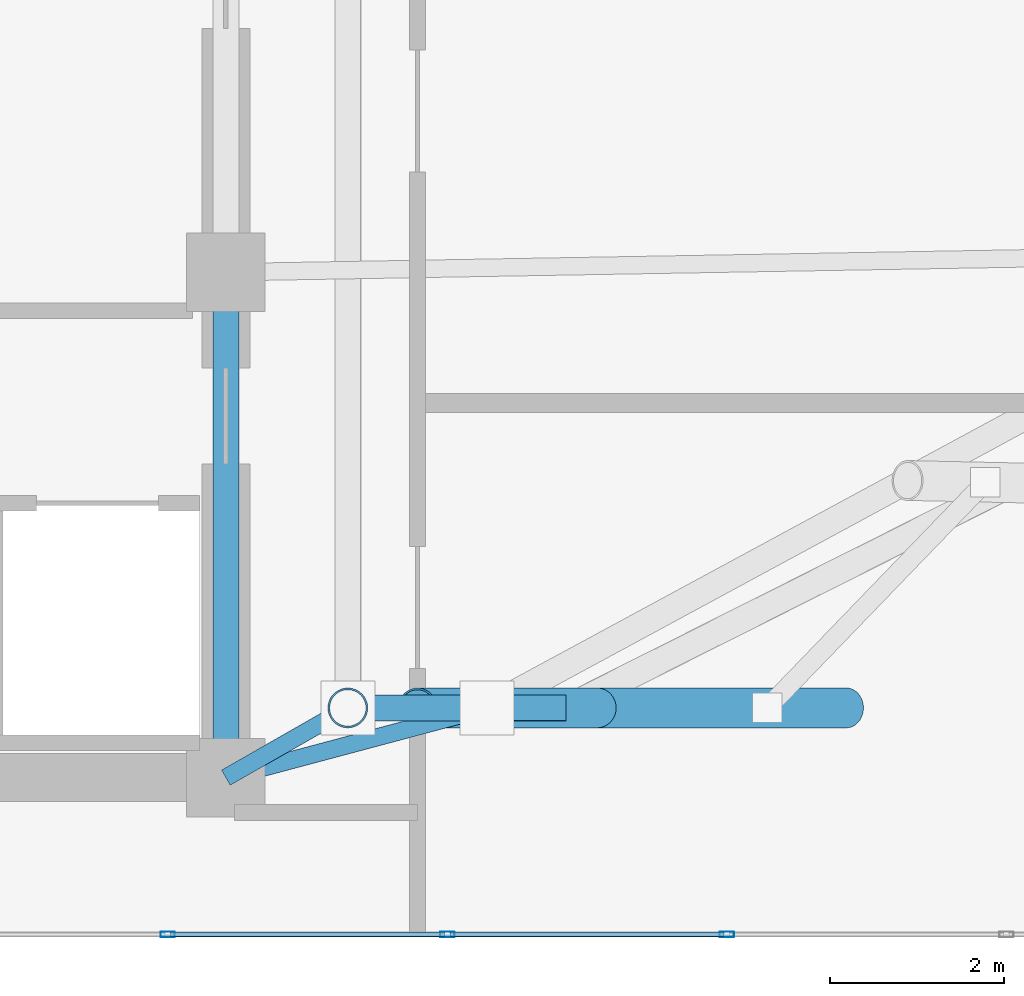
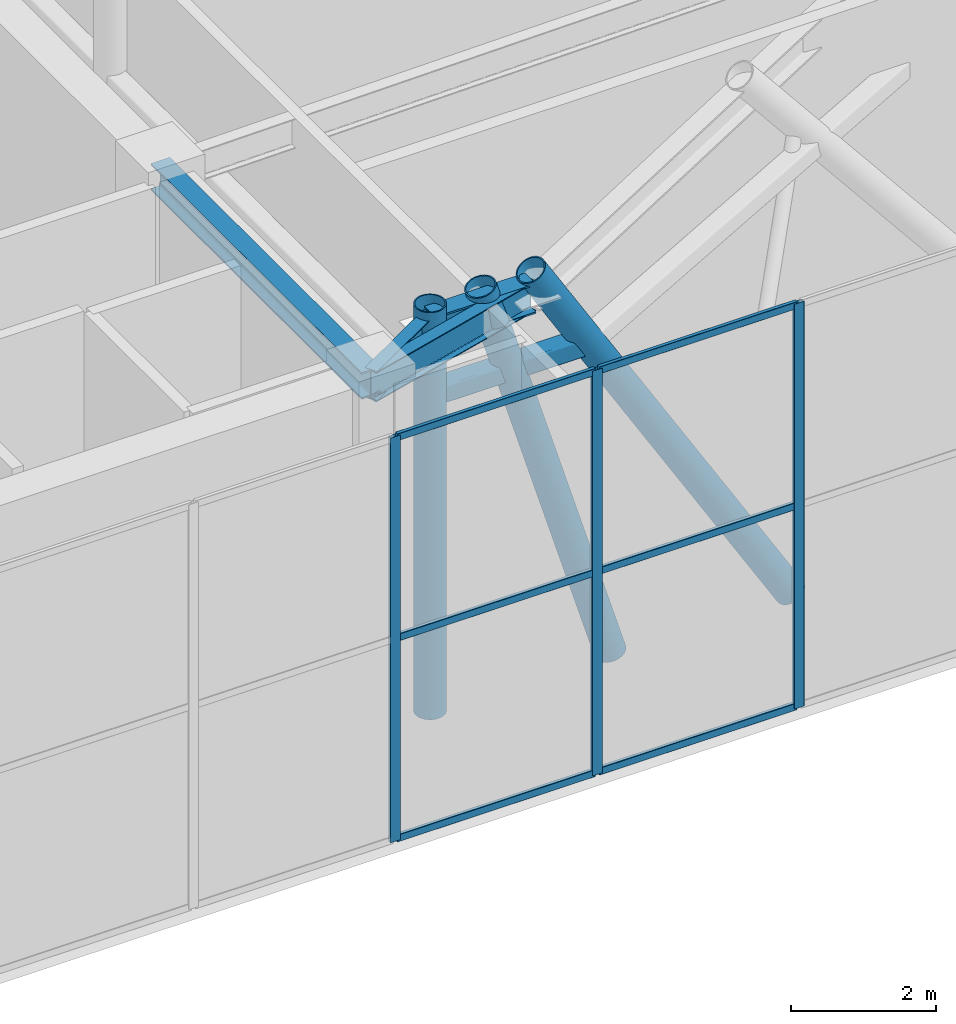
# One storey, part 8 of 23: 13 members, 4 beams, 1 element without a shape of its own.
"""IFC4 building model written with IfcOpenShell, lengths in metres."""

from ifc_helpers import new_model, si_unit, direction, frame, origin, origin_2d, place, context, subcontext, project, spatial, hollow_rectangle, hollow_circle, i_section, extrude, material, layer, layer_set, material_profile, profile_set, type_object, element, aggregate, save


model = new_model("IFC4")

# Units and contexts
model_context = context("Model", 3, precision=1e-05, world=origin(), true_north=direction((0.0, 1.0)))
body_context = subcontext(model_context, "Body", "Model", "MODEL_VIEW")
ifc_project = project(units=[si_unit("LENGTHUNIT", "METRE"), si_unit("AREAUNIT", "SQUARE_METRE"), si_unit("VOLUMEUNIT", "CUBIC_METRE"), si_unit("PLANEANGLEUNIT", "RADIAN"), si_unit("MASSUNIT", "GRAM", prefix="KILO")], contexts=[model_context])

# Site, building, storey
site_placement = place(None, origin())
site = spatial("IfcSite", under=ifc_project, at=site_placement, CompositionType="ELEMENT")
building_placement = place(site_placement, origin())
building = spatial("IfcBuilding", under=site, at=building_placement, Name="An Khanh Terracotta Commons", CompositionType="ELEMENT")
storey_placement = place(building_placement, frame((0.0, 0.0, 322.0)))
storey = spatial("IfcBuildingStorey", under=building, at=storey_placement, Name="L81 Crown Heat-Recovery Plant", CompositionType="ELEMENT", Elevation=322.0)

# Beams
ifc_material_1 = material(Name="Steel S355J2", Category="steel")
ifc_material_profile_1 = material_profile(ifc_material_1, i_section(OverallWidth=0.300048828125, OverallDepth=0.449951171875, WebThickness=0.013916015625, FlangeThickness=0.02587890625, FilletRadius=0.027099609375, at=origin_2d()), Name="HEB450")
ifc_profile_set_1 = profile_set([ifc_material_profile_1], Name="Steel S355J2")
beam_type_1 = type_object("IfcBeamType", Name="BM-HEB450", PredefinedType="BEAM", material=ifc_profile_set_1)
beam_1_placement = place(storey_placement, frame((37.199951171875, 14.39990234375, 6.35498046875), z_axis=(0.0, 1.0, 0.0), x_axis=(-1.0, 0.0, 0.0)))
element("IfcBeam", 1, at=beam_1_placement, inside=storey, type_object=beam_type_1, Name="L81 Crown Heat-Recovery Plant Core East Coupling Girder 1", PredefinedType="BEAM", context=body_context, shape_type="SweptSolid", body=[
    extrude(i_section(OverallWidth=0.300048828125, OverallDepth=0.449951171875, WebThickness=0.013916015625, FlangeThickness=0.02587890625, FilletRadius=0.027099609375, at=origin_2d()), origin(), (0.0, 0.0, 1.0), 5.800048828125),
])
ifc_material_profile_2 = material_profile(ifc_material_1, i_section(OverallWidth=0.300048828125, OverallDepth=0.5, WebThickness=0.014404296875, FlangeThickness=0.028076171875, FilletRadius=0.027099609375, at=origin_2d()), Name="HEB500")
ifc_profile_set_2 = profile_set([ifc_material_profile_2], Name="Steel S355J2")
beam_type_2 = type_object("IfcBeamType", Name="BM-HEB500", PredefinedType="BEAM", material=ifc_profile_set_2)
beam_2_placement = place(storey_placement, frame((38.60009765625, 15.199951171875, 6.330078125), z_axis=(1.0, 0.0, 0.0), x_axis=(0.0, 1.0, 0.0)))
element("IfcBeam", 2, at=beam_2_placement, inside=storey, type_object=beam_type_2, Name="L81 Crown Heat-Recovery Plant CROWN FRAME Ring Beam 1", PredefinedType="BEAM", context=body_context, shape_type="SweptSolid", body=[
    extrude(i_section(OverallWidth=0.300048828125, OverallDepth=0.5, WebThickness=0.014404296875, FlangeThickness=0.028076171875, FilletRadius=0.027099609375, at=origin_2d()), origin(), (0.0, 0.0, 1.0), 1.599853515625),
])
ifc_material_profile_3 = material_profile(ifc_material_1, i_section(OverallWidth=0.199951171875, OverallDepth=0.5, WebThickness=0.01025390625, FlangeThickness=0.01611328125, FilletRadius=0.02099609375, at=origin_2d()), Name="IPE500")
ifc_profile_set_3 = profile_set([ifc_material_profile_3], Name="Steel S355J2")
beam_type_3 = type_object("IfcBeamType", Name="BM-IPE500", PredefinedType="BEAM", material=ifc_profile_set_3)
beam_3_placement = place(storey_placement, frame((37.199951171875, 14.39990234375, 6.330078125), z_axis=(0.86825245861, 0.496122634152, 0.0), x_axis=(-0.496122634152, 0.86825245861, 0.0)))
element("IfcBeam", 3, at=beam_3_placement, inside=storey, type_object=beam_type_3, Name="L81 Crown Heat-Recovery Plant Crown Radial Tie Beam 1", PredefinedType="BEAM", context=body_context, shape_type="SweptSolid", body=[
    extrude(i_section(OverallWidth=0.199951171875, OverallDepth=0.5, WebThickness=0.01025390625, FlangeThickness=0.01611328125, FilletRadius=0.02099609375, at=origin_2d()), origin(), (0.0, 0.0, 1.0), 1.612548828125),
])
beam_4_placement = place(storey_placement, frame((37.199951171875, 14.39990234375, 6.330078125), z_axis=(0.966231024199, 0.25767733287, 0.0), x_axis=(-0.25767733287, 0.966231024199, 0.0)))
element("IfcBeam", 4, at=beam_4_placement, inside=storey, type_object=beam_type_3, Name="L81 Crown Heat-Recovery Plant Crown Radial Tie Beam 2", PredefinedType="BEAM", context=body_context, shape_type="SweptSolid", body=[
    extrude(i_section(OverallWidth=0.199951171875, OverallDepth=0.5, WebThickness=0.01025390625, FlangeThickness=0.01611328125, FilletRadius=0.02099609375, at=origin_2d()), origin(), (0.0, 0.0, 1.0), 3.104736328125),
])

# Members
ifc_material_2 = material(Name="Steel S460ML", Category="steel")
ifc_material_profile_4 = material_profile(ifc_material_2, hollow_circle(Radius=0.228515625, WallThickness=0.02001953125, at=origin_2d()), Name="CHS457x20")
ifc_profile_set_4 = profile_set([ifc_material_profile_4], Name="Steel S460ML")
member_type_1 = type_object("IfcMemberType", Name="CROWN FRAME RIB CHS457", PredefinedType="STRUT", material=ifc_profile_set_4)
member_1_placement = place(storey_placement, frame((38.60009765625, 15.199951171875, -0.1201171875), z_axis=(0.0, 0.0, 1.0), x_axis=(1.0, 0.0, 0.0)))
element("IfcMember", 5, at=member_1_placement, inside=storey, type_object=member_type_1, Name="L81 Crown Heat-Recovery Plant CROWN FRAME Corner Raking Rib 1", PredefinedType="STRUT", context=body_context, shape_type="SweptSolid", body=[
    extrude(hollow_circle(Radius=0.228515625, WallThickness=0.02001953125, at=origin_2d()), origin(), (0.0, 0.0, 1.0), 6.840087890625),
])
member_2_placement = place(storey_placement, frame((41.4609375, 15.199951171875, -0.1201171875), z_axis=(-0.288504606457, 0.0, 0.957478507358), x_axis=(0.0, -1.0, 0.0)))
element("IfcMember", 6, at=member_2_placement, inside=storey, type_object=member_type_1, Name="L81 Crown Heat-Recovery Plant CROWN FRAME Facet Strut 1", PredefinedType="STRUT", context=body_context, shape_type="SweptSolid", body=[
    extrude(hollow_circle(Radius=0.228515625, WallThickness=0.02001953125, at=origin_2d()), origin(), (0.0, 0.0, 1.0), 7.143798828125),
])
member_3_placement = place(storey_placement, frame((44.322021484375, 15.199951171875, -0.1201171875), z_axis=(-0.516153696241, 0.0, 0.856495978891), x_axis=(0.0, -1.0, 0.0)))
element("IfcMember", 7, at=member_3_placement, inside=storey, type_object=member_type_1, Name="L81 Crown Heat-Recovery Plant CROWN FRAME Corner Raking Rib 2", PredefinedType="STRUT", context=body_context, shape_type="SweptSolid", body=[
    extrude(hollow_circle(Radius=0.228515625, WallThickness=0.02001953125, at=origin_2d()), origin(), (0.0, 0.0, 1.0), 7.986083984375),
])
ifc_material_profile_5 = material_profile(ifc_material_2, hollow_rectangle(XDim=0.300048828125, YDim=0.300048828125, WallThickness=0.01611328125, InnerFilletRadius=0.01611328125, OuterFilletRadius=0.031982421875, at=origin_2d()), Name="SHS300x300x16")
ifc_profile_set_5 = profile_set([ifc_material_profile_5], Name="Steel S460ML")
member_type_2 = type_object("IfcMemberType", Name="CROWN FRAME RING SHS300", PredefinedType="CHORD", material=ifc_profile_set_5)
member_4_placement = place(storey_placement, frame((38.60009765625, 15.199951171875, 5.215087890625), z_axis=(1.0, 0.0, 0.0), x_axis=(0.0, 1.0, 0.0)))
element("IfcMember", 8, at=member_4_placement, inside=storey, type_object=member_type_2, Name="L81 Crown Heat-Recovery Plant CROWN FRAME Sill Ring Chord 1", PredefinedType="CHORD", context=body_context, shape_type="SweptSolid", body=[
    extrude(hollow_rectangle(XDim=0.300048828125, YDim=0.300048828125, WallThickness=0.01611328125, InnerFilletRadius=0.01611328125, OuterFilletRadius=0.031982421875, at=origin_2d()), origin(), (0.0, 0.0, 1.0), 2.5068359375),
])

# Curtain wall, members
ifc_material_3 = material(Name="Anodised Aluminium 6063-T6", Category="aluminium")
ifc_layer = layer(ifc_material_3, 0.18994140625, Name="Anodised Aluminium 6063-T6")
ifc_layer_set = layer_set([ifc_layer], Name="Anodised Aluminium 6063-T6")
curtain_wall_type = type_object("IfcCurtainWallType", Name="CW-SYS-06", PredefinedType="USERDEFINED", material=ifc_layer_set)
curtain_wall_placement = place(storey_placement, origin())
curtain_wall = element("IfcCurtainWall", 9, at=curtain_wall_placement, inside=storey, type_object=curtain_wall_type, Name="L81 Crown Heat-Recovery Plant CW-06 Unitised Curtain Wall CW-L81-04", ObjectType="UNITISED CURTAIN WALL", PredefinedType="USERDEFINED")
ifc_material_profile_6 = material_profile(ifc_material_3, hollow_rectangle(XDim=0.06494140625, YDim=0.1650390625, WallThickness=0.00390625, InnerFilletRadius=0.00390625, OuterFilletRadius=0.008056640625, at=origin_2d()), Name="RHS165x65x4")
ifc_profile_set_6 = profile_set([ifc_material_profile_6], Name="Anodised Aluminium 6063-T6")
member_type_3 = type_object("IfcMemberType", Name="CWM-RHS165x65x4", PredefinedType="MULLION", material=ifc_profile_set_6)
member_5_placement = place(storey_placement, frame((36.533447265625, 12.60009765625, 0.0), z_axis=(0.0, 0.0, 1.0), x_axis=(0.0, 1.0, 0.0)))
member_5 = element("IfcMember", 10, at=member_5_placement, type_object=member_type_3, Name="CW-06 mullion 5", PredefinedType="MULLION", context=body_context, shape_type="SweptSolid", body=[
    extrude(hollow_rectangle(XDim=0.06494140625, YDim=0.1650390625, WallThickness=0.00390625, InnerFilletRadius=0.00390625, OuterFilletRadius=0.008056640625, at=origin_2d()), origin(), (0.0, 0.0, 1.0), 6.800048828125),
])
member_6_placement = place(storey_placement, frame((39.741943359375, 12.60009765625, 0.0), z_axis=(0.0, 0.0, 1.0), x_axis=(0.0, 1.0, 0.0)))
member_6 = element("IfcMember", 11, at=member_6_placement, type_object=member_type_3, Name="CW-06 mullion 6", PredefinedType="MULLION", context=body_context, shape_type="SweptSolid", body=[
    extrude(hollow_rectangle(XDim=0.06494140625, YDim=0.1650390625, WallThickness=0.00390625, InnerFilletRadius=0.00390625, OuterFilletRadius=0.008056640625, at=origin_2d()), origin(), (0.0, 0.0, 1.0), 6.800048828125),
])
member_7_placement = place(storey_placement, frame((42.9501953125, 12.60009765625, 0.0), z_axis=(0.0, 0.0, 1.0), x_axis=(0.0, 1.0, 0.0)))
member_7 = element("IfcMember", 12, at=member_7_placement, type_object=member_type_3, Name="CW-06 mullion 7", PredefinedType="MULLION", context=body_context, shape_type="SweptSolid", body=[
    extrude(hollow_rectangle(XDim=0.06494140625, YDim=0.1650390625, WallThickness=0.00390625, InnerFilletRadius=0.00390625, OuterFilletRadius=0.008056640625, at=origin_2d()), origin(), (0.0, 0.0, 1.0), 6.800048828125),
])
ifc_material_profile_7 = material_profile(ifc_material_3, hollow_rectangle(XDim=0.06005859375, YDim=0.1201171875, WallThickness=0.003662109375, InnerFilletRadius=0.003662109375, OuterFilletRadius=0.007080078125, at=origin_2d()), Name="RHS120x60x3.6")
ifc_profile_set_7 = profile_set([ifc_material_profile_7], Name="Anodised Aluminium 6063-T6")
member_type_4 = type_object("IfcMemberType", Name="CWT-RHS120x60x3.6", PredefinedType="USERDEFINED", material=ifc_profile_set_7)
member_8_placement = place(storey_placement, frame((36.56591796875, 12.60009765625, 0.030029296875), z_axis=(1.0, 0.0, 0.0), x_axis=(0.0, 1.0, 0.0)))
member_8 = element("IfcMember", 13, at=member_8_placement, type_object=member_type_4, Name="CW-06 transom 5.1", ObjectType="TRANSOM", PredefinedType="USERDEFINED", context=body_context, shape_type="SweptSolid", body=[
    extrude(hollow_rectangle(XDim=0.06005859375, YDim=0.1201171875, WallThickness=0.003662109375, InnerFilletRadius=0.003662109375, OuterFilletRadius=0.007080078125, at=origin_2d()), origin(), (0.0, 0.0, 1.0), 3.1435546875),
])
member_9_placement = place(storey_placement, frame((36.56591796875, 12.60009765625, 3.39990234375), z_axis=(1.0, 0.0, 0.0), x_axis=(0.0, 1.0, 0.0)))
member_9 = element("IfcMember", 14, at=member_9_placement, type_object=member_type_4, Name="CW-06 transom 5.2", ObjectType="TRANSOM", PredefinedType="USERDEFINED", context=body_context, shape_type="SweptSolid", body=[
    extrude(hollow_rectangle(XDim=0.06005859375, YDim=0.1201171875, WallThickness=0.003662109375, InnerFilletRadius=0.003662109375, OuterFilletRadius=0.007080078125, at=origin_2d()), origin(), (0.0, 0.0, 1.0), 3.1435546875),
])
member_10_placement = place(storey_placement, frame((36.56591796875, 12.60009765625, 6.77001953125), z_axis=(1.0, 0.0, 0.0), x_axis=(0.0, 1.0, 0.0)))
member_10 = element("IfcMember", 15, at=member_10_placement, type_object=member_type_4, Name="CW-06 transom 5.3", ObjectType="TRANSOM", PredefinedType="USERDEFINED", context=body_context, shape_type="SweptSolid", body=[
    extrude(hollow_rectangle(XDim=0.06005859375, YDim=0.1201171875, WallThickness=0.003662109375, InnerFilletRadius=0.003662109375, OuterFilletRadius=0.007080078125, at=origin_2d()), origin(), (0.0, 0.0, 1.0), 3.1435546875),
])
member_11_placement = place(storey_placement, frame((39.7744140625, 12.60009765625, 0.030029296875), z_axis=(1.0, 0.0, 0.0), x_axis=(0.0, 1.0, 0.0)))
member_11 = element("IfcMember", 16, at=member_11_placement, type_object=member_type_4, Name="CW-06 transom 6.1", ObjectType="TRANSOM", PredefinedType="USERDEFINED", context=body_context, shape_type="SweptSolid", body=[
    extrude(hollow_rectangle(XDim=0.06005859375, YDim=0.1201171875, WallThickness=0.003662109375, InnerFilletRadius=0.003662109375, OuterFilletRadius=0.007080078125, at=origin_2d()), origin(), (0.0, 0.0, 1.0), 3.143310546875),
])
member_12_placement = place(storey_placement, frame((39.7744140625, 12.60009765625, 3.39990234375), z_axis=(1.0, 0.0, 0.0), x_axis=(0.0, 1.0, 0.0)))
member_12 = element("IfcMember", 17, at=member_12_placement, type_object=member_type_4, Name="CW-06 transom 6.2", ObjectType="TRANSOM", PredefinedType="USERDEFINED", context=body_context, shape_type="SweptSolid", body=[
    extrude(hollow_rectangle(XDim=0.06005859375, YDim=0.1201171875, WallThickness=0.003662109375, InnerFilletRadius=0.003662109375, OuterFilletRadius=0.007080078125, at=origin_2d()), origin(), (0.0, 0.0, 1.0), 3.143310546875),
])
member_13_placement = place(storey_placement, frame((39.7744140625, 12.60009765625, 6.77001953125), z_axis=(1.0, 0.0, 0.0), x_axis=(0.0, 1.0, 0.0)))
member_13 = element("IfcMember", 18, at=member_13_placement, type_object=member_type_4, Name="CW-06 transom 6.3", ObjectType="TRANSOM", PredefinedType="USERDEFINED", context=body_context, shape_type="SweptSolid", body=[
    extrude(hollow_rectangle(XDim=0.06005859375, YDim=0.1201171875, WallThickness=0.003662109375, InnerFilletRadius=0.003662109375, OuterFilletRadius=0.007080078125, at=origin_2d()), origin(), (0.0, 0.0, 1.0), 3.143310546875),
])
aggregate(curtain_wall, [member_5, member_6, member_7, member_8, member_9, member_10, member_11, member_12, member_13])

save(model, "model.ifc")
